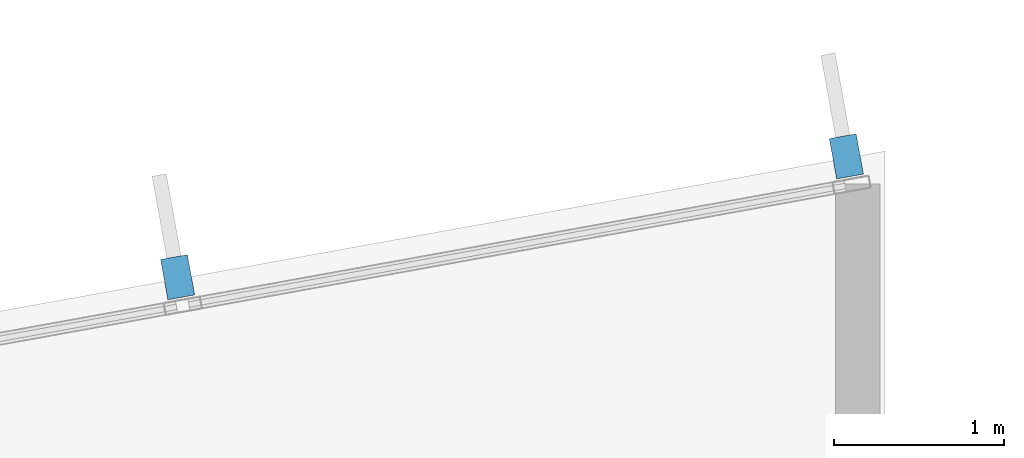
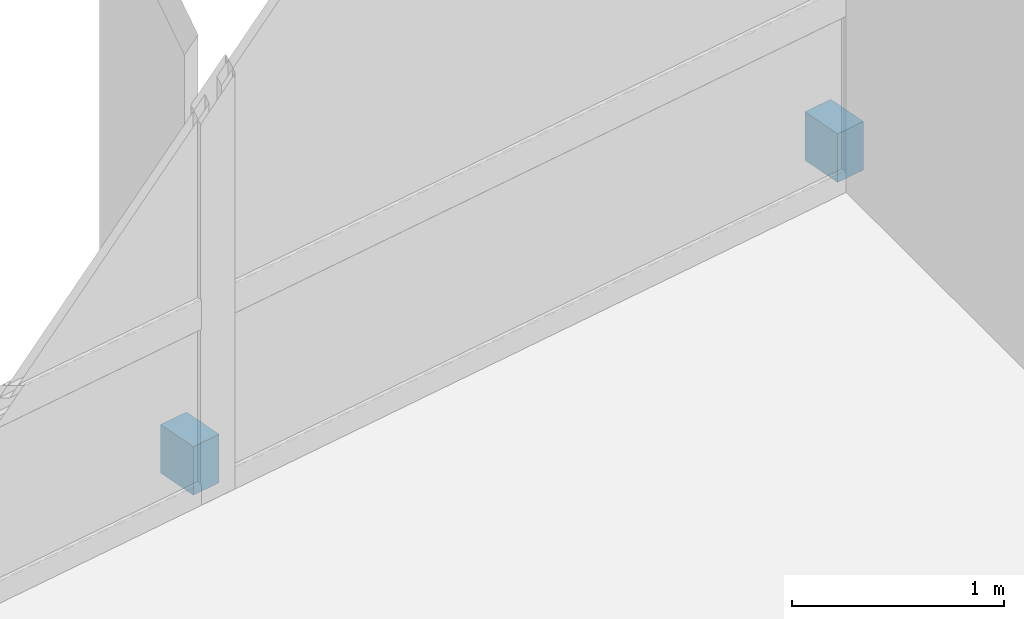
# One storey, part 16 of 20: 2 discrete accessories.
"""IFC4 building model written with IfcOpenShell, lengths in metres."""

import ifcopenshell
import ifcopenshell.guid

model = None  # the IFC model being written
_history = None  # IfcOwnerHistory: only IFC2X3 demands one
_inside = {}  # id of a spatial element -> (the spatial element, [elements in it])
_under = {}  # id of a project, library or spatial element -> (it, [spatial elements below it])
_declared = {}  # id of a project -> (the project, [libraries it declares])
_typed = {}  # id of a type object -> (the type object, [elements of that type])
_made_of = {}  # id of a material, layer set ... -> (it, [elements and type objects made of it])


def new_model(schema):
    """Start an empty IFC model of exactly this schema.

    Asked for "IFC4X3", IfcOpenShell would pick the latest addendum, in which some entities
    have other attributes; the version numbers below select the first issue.
    IFC2X3 requires an IfcOwnerHistory on every rooted entity: one is made here for all.
    """
    global model, _history
    if schema == "IFC4X3":
        model = ifcopenshell.file(schema_version=(4, 3, 0, 0))
    else:
        model = ifcopenshell.file(schema=schema)
    _inside.clear()
    _under.clear()
    _declared.clear()
    _typed.clear()
    _made_of.clear()
    _history = None
    if model.schema == "IFC2X3":
        org = make("IfcOrganization", Name="unknown")
        user = make(
            "IfcPersonAndOrganization",
            ThePerson=make("IfcPerson", FamilyName="unknown"),
            TheOrganization=org,
        )
        app = make(
            "IfcApplication",
            ApplicationDeveloper=org,
            Version="unknown",
            ApplicationFullName="unknown",
            ApplicationIdentifier="unknown",
        )
        _history = make(
            "IfcOwnerHistory",
            OwningUser=user,
            OwningApplication=app,
            ChangeAction="ADDED",
            CreationDate=0,
        )
    return model


def make(cls, **values):
    """One entity of the class cls with the attributes given. An attribute that is None is left unset."""
    return model.create_entity(
        cls, **{name: value for name, value in values.items() if value is not None}
    )


def rooted(cls, **values):
    """An entity with a GlobalId (a new one), such as an element, a storey or a relation."""
    return make(cls, GlobalId=ifcopenshell.guid.new(), OwnerHistory=_history, **values)


def si_unit(unit_type, name, prefix=None):
    """IfcSIUnit, for example si_unit("LENGTHUNIT", "METRE", prefix="MILLI")."""
    return make("IfcSIUnit", UnitType=unit_type, Prefix=prefix, Name=name)


def assignment(units):
    """IfcUnitAssignment: the units of a project."""
    return None if units is None else make("IfcUnitAssignment", Units=units)


def point(xyz):
    """IfcCartesianPoint."""
    return None if xyz is None else make("IfcCartesianPoint", Coordinates=xyz)


def direction(xyz):
    """IfcDirection."""
    return None if xyz is None else make("IfcDirection", DirectionRatios=xyz)


def frame(location, z_axis=None, x_axis=None):
    """IfcAxis2Placement3D, a coordinate frame: its origin and axes. An axis left out is left unset."""
    return make(
        "IfcAxis2Placement3D",
        Location=point(location),
        Axis=direction(z_axis),
        RefDirection=direction(x_axis),
    )


def frame_2d(location, x_axis=None):
    """IfcAxis2Placement2D, a coordinate frame in the plane: its origin and x axis."""
    return make(
        "IfcAxis2Placement2D", Location=point(location), RefDirection=direction(x_axis)
    )


def origin():
    """The frame at (0, 0, 0) with its axes left unset."""
    return frame((0.0, 0.0, 0.0))


def origin_2d():
    """The frame at (0, 0) in the plane with its x axis left unset."""
    return frame_2d((0.0, 0.0))


def place(relative_to, where):
    """IfcLocalPlacement: puts the frame where relative to a parent placement (None: the world)."""
    return make(
        "IfcLocalPlacement", PlacementRelTo=relative_to, RelativePlacement=where
    )


def context(
    kind, dimensions, precision=None, world=None, true_north=None, identifier=None
):
    """IfcGeometricRepresentationContext, for example the 3D "Model" context."""
    return make(
        "IfcGeometricRepresentationContext",
        ContextIdentifier=identifier,
        ContextType=kind,
        CoordinateSpaceDimension=dimensions,
        Precision=precision,
        WorldCoordinateSystem=world,
        TrueNorth=true_north,
    )


def subcontext(parent, identifier, kind, view, scale=None):
    """IfcGeometricRepresentationSubContext, for example "Body" below "Model"."""
    return make(
        "IfcGeometricRepresentationSubContext",
        ContextIdentifier=identifier,
        ContextType=kind,
        ParentContext=parent,
        TargetScale=scale,
        TargetView=view,
    )


def project(units=None, contexts=None):
    """IfcProject with its units and contexts."""
    return rooted(
        "IfcProject",
        Name="project",
        RepresentationContexts=contexts,
        UnitsInContext=assignment(units),
    )


def spatial(cls, under=None, at=None, **own):
    """A site, building, storey or space (cls), placed at a placement, below another one or the project."""
    s = rooted(cls, ObjectPlacement=at, **own)
    if under is not None:
        _under.setdefault(under.id(), (under, []))[1].append(s)
    return s


def profile(cls, at=None, kind="AREA", **sizes):
    """A parametric profile (cls). Its sizes go by their IFC names, for example OverallWidth=200.0."""
    return make(cls, ProfileType=kind, Position=at, **sizes)


def rectangle(**sizes):
    """IfcRectangleProfileDef."""
    return profile("IfcRectangleProfileDef", **sizes)


def extrude(swept, where, along, depth):
    """IfcExtrudedAreaSolid: the profile swept, set in the frame where, extruded along a direction by depth."""
    return make(
        "IfcExtrudedAreaSolid",
        SweptArea=swept,
        Position=where,
        ExtrudedDirection=direction(along),
        Depth=depth,
    )


def shape(context_of_items, identifier, shape_type, items):
    """IfcShapeRepresentation: the items that make up one representation, for example the "Body"."""
    return make(
        "IfcShapeRepresentation",
        ContextOfItems=context_of_items,
        RepresentationIdentifier=identifier,
        RepresentationType=shape_type,
        Items=items,
    )


def material(Name=None, Category=None):
    """IfcMaterial."""
    return make("IfcMaterial", Name=Name, Category=Category)


def made_of(thing, what):
    """Note that an element or type object is made of a material, layer set ...; save() writes the relation."""
    if what is not None:
        _made_of.setdefault(what.id(), (what, []))[1].append(thing)
    return thing


def type_object(cls, material=None, **own):
    """A type object (cls), such as IfcWallType, which elements share."""
    return made_of(rooted(cls, **own), material)


def element(
    cls,
    number,
    at=None,
    inside=None,
    cuts=None,
    type_object=None,
    material=None,
    context=None,
    identifier="Body",
    shape_type=None,
    held_by="IfcProductDefinitionShape",
    body=None,
    shapes=None,
    **own,
):
    """One element of the class cls, such as IfcWall. Its Tag is "e" and its number.

    at: its placement. inside: the storey or other place that contains it. cuts: it is an
    opening in that element (IfcRelVoidsElement). A single representation is given by context,
    identifier, shape_type and body (its items); several are given by shapes. held_by: the class
    of the entity that holds the representations. save() writes the other relations.
    """
    e = rooted(cls, Tag="e%d" % number, ObjectPlacement=at, **own)
    if body is not None:
        shapes = [shape(context, identifier, shape_type, body)]
    if shapes is not None:
        e.Representation = make(held_by, Representations=shapes)
    if inside is not None:
        _inside.setdefault(inside.id(), (inside, []))[1].append(e)
    if cuts is not None:
        rooted(
            "IfcRelVoidsElement", RelatingBuildingElement=cuts, RelatedOpeningElement=e
        )
    if type_object is not None:
        _typed.setdefault(type_object.id(), (type_object, []))[1].append(e)
    return made_of(e, material)


def aggregate(whole, parts):
    """IfcRelAggregates: a whole, such as a stair, and the parts it consists of."""
    return rooted("IfcRelAggregates", RelatingObject=whole, RelatedObjects=parts)


def save(model, path):
    """Write the relations noted so far, then the file.

    IfcRelAggregates (storeys below a building ...), IfcRelContainedInSpatialStructure (elements
    in a storey), IfcRelDefinesByType, IfcRelAssociatesMaterial and IfcRelDeclares: one each for
    every whole, place, type object, material and project.
    """
    for whole, parts in _under.values():
        aggregate(whole, parts)
    for where, things in _inside.values():
        rooted(
            "IfcRelContainedInSpatialStructure",
            RelatedElements=things,
            RelatingStructure=where,
        )
    for kind, things in _typed.values():
        rooted("IfcRelDefinesByType", RelatedObjects=things, RelatingType=kind)
    for what, things in _made_of.values():
        rooted("IfcRelAssociatesMaterial", RelatedObjects=things, RelatingMaterial=what)
    for by, libraries in _declared.values():
        rooted("IfcRelDeclares", RelatingContext=by, RelatedDefinitions=libraries)
    model.write(path)


model = new_model("IFC4")

# Units and contexts
model_context = context("Model", 3, precision=1e-05, world=origin(), true_north=direction((0.0, 1.0)))
body_context = subcontext(model_context, "Body", "Model", "MODEL_VIEW")
ifc_project = project(units=[si_unit("LENGTHUNIT", "METRE"), si_unit("AREAUNIT", "SQUARE_METRE"), si_unit("VOLUMEUNIT", "CUBIC_METRE"), si_unit("PLANEANGLEUNIT", "RADIAN"), si_unit("MASSUNIT", "GRAM", prefix="KILO")], contexts=[model_context])

# Site, building, storey
site_placement = place(None, origin())
site = spatial("IfcSite", under=ifc_project, at=site_placement, CompositionType="ELEMENT")
building_placement = place(site_placement, origin())
building = spatial("IfcBuilding", under=site, at=building_placement, Name="Varnakote Quay Hospital", CompositionType="ELEMENT")
storey_placement = place(building_placement, frame((0.0, 0.0, 46.199951171875)))
storey = spatial("IfcBuildingStorey", under=building, at=storey_placement, Name="L11", CompositionType="ELEMENT", Elevation=46.199951171875)

# Discrete accessories
ifc_material = material(Name="Anodised aluminium 6063-T6 Bronze", Category="aluminium")
discrete_accessory_type = type_object("IfcDiscreteAccessoryType", Name="ACC-FIN-BRACKET-180", PredefinedType="BRACKET", material=ifc_material)
for number, where, z_axis, x_axis, name in (
    (1, (55.372802734375, 34.369140625, 0.0), (0.0, 0.0, 1.0), (-0.984071739666, -0.177771795263, 0.0), "L11 Curtain Wall Fin Fixing Bracket"),
    (2, (51.447265625, 33.65966796875, 0.0), (0.0, 0.0, 1.0), (-0.984071739666, -0.177771795263, 0.0), "L11 Curtain Wall Fin Fixing Bracket"),
):
    element("IfcDiscreteAccessory", number, at=place(storey_placement, frame(where, z_axis=z_axis, x_axis=x_axis)), inside=storey, type_object=discrete_accessory_type, Name=name, PredefinedType="BRACKET", context=body_context, shape_type="SweptSolid", body=[
        extrude(rectangle(XDim=0.159912109375, YDim=0.239990234375, at=origin_2d()), origin(), (0.0, 0.0, 1.0), 0.280029296875),
    ])

save(model, "model.ifc")
